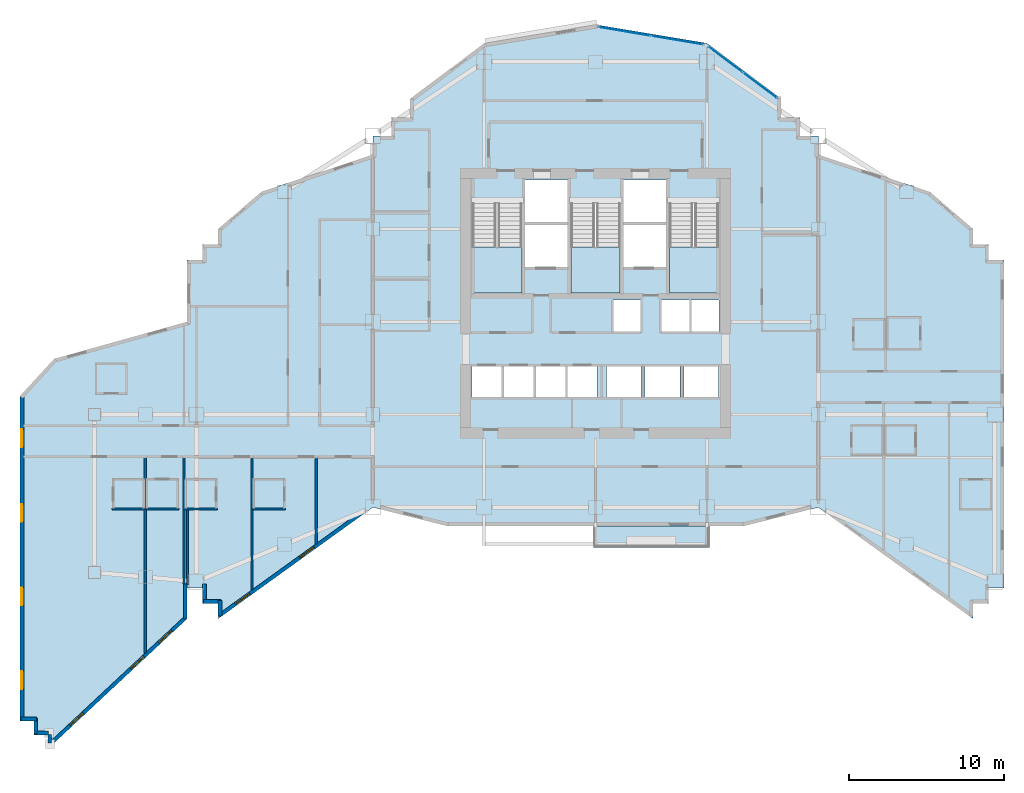
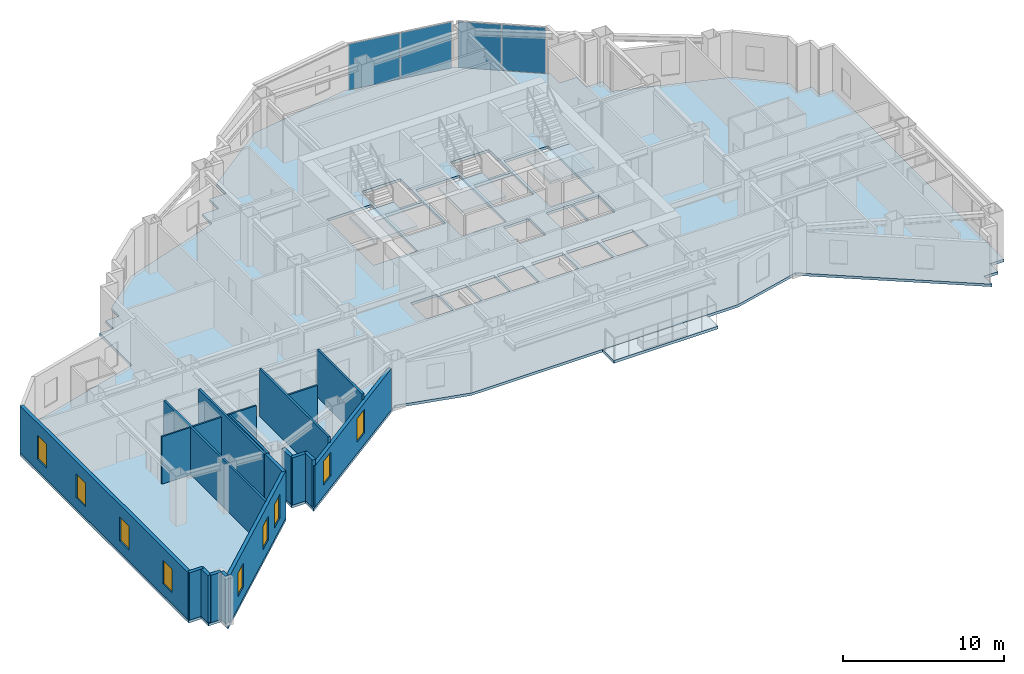
# One storey, part 6 of 14: 20 walls, 9 windows, 5 slabs, 4 plates, 9 openings, 5 elements without a shape of their own.
"""IFC4 building model written with IfcOpenShell, lengths in metres."""

from ifc_helpers import new_model, si_unit, direction, frame, frame_2d, origin, origin_2d, place, context, subcontext, project, spatial, polyline, rectangle, outline, extrude, material, layer, layer_set, type_object, element, fill, aggregate, save


model = new_model("IFC4")

# Units and contexts
model_context = context("Model", 3, precision=1e-05, world=origin(), true_north=direction((0.0, 1.0)))
body_context = subcontext(model_context, "Body", "Model", "MODEL_VIEW")
ifc_project = project(units=[si_unit("LENGTHUNIT", "METRE"), si_unit("AREAUNIT", "SQUARE_METRE"), si_unit("VOLUMEUNIT", "CUBIC_METRE"), si_unit("PLANEANGLEUNIT", "RADIAN"), si_unit("MASSUNIT", "GRAM", prefix="KILO")], contexts=[model_context])

# Site, building, storey
site_placement = place(None, origin())
site = spatial("IfcSite", under=ifc_project, at=site_placement, CompositionType="ELEMENT")
building_placement = place(site_placement, origin())
building = spatial("IfcBuilding", under=site, at=building_placement, Name="Haolan Belvedere Tower", CompositionType="ELEMENT")
storey_placement = place(building_placement, frame((0.0, 0.0, 141.0)))
storey = spatial("IfcBuildingStorey", under=building, at=storey_placement, Name="L35", CompositionType="ELEMENT", Elevation=141.0)

# Curtain wall, plates
ifc_material_1 = material(Name="Anodised champagne-silver aluminium 6063-T6 and Low-E glass", Category="aluminium")
ifc_layer_1 = layer(ifc_material_1, 0.155029296875, Name="Anodised champagne-silver aluminium 6063-T6 and Low-E glass")
ifc_layer_set_1 = layer_set([ifc_layer_1], Name="Anodised champagne-silver aluminium 6063-T6 and Low-E glass")
curtain_wall_type = type_object("IfcCurtainWallType", Name="CW-SYS-03", PredefinedType="NOTDEFINED", material=ifc_layer_set_1)
curtain_wall_1_placement = place(storey_placement, origin())
curtain_wall_1 = element("IfcCurtainWall", 1, at=curtain_wall_1_placement, inside=storey, type_object=curtain_wall_type, Name="L35 CW-SYS-03 ribbon curtain wall 26.1", PredefinedType="NOTDEFINED")
ifc_material_2 = material(Name="Double silver Low-E laminated insulating glass", Category="glass")
ifc_layer_2 = layer(ifc_material_2, 0.02392578125, Name="Double silver Low-E laminated insulating glass")
ifc_layer_set_2 = layer_set([ifc_layer_2], Name="Double silver Low-E laminated insulating glass")
plate_type = type_object("IfcPlateType", Name="CW-SYS-03-PNL", PredefinedType="CURTAIN_PANEL", material=ifc_layer_set_2)
plate_1_placement = place(storey_placement, frame((49.0302734375, 48.877197265625, 0.05419921875), z_axis=(0.0, 0.0, 1.0), x_axis=(-0.800004262313, 0.599994316874, 0.0)))
plate_1 = element("IfcPlate", 2, at=plate_1_placement, type_object=plate_type, Name="CW-03 panel 1.1", PredefinedType="CURTAIN_PANEL", context=body_context, shape_type="SweptSolid", body=[
    extrude(rectangle(XDim=2.728271484375, YDim=0.02392578125, at=origin_2d()), origin(), (0.0, 0.0, 1.0), 3.491943359375),
])
plate_2_placement = place(storey_placement, frame((46.80126953125, 50.549072265625, 0.05419921875), z_axis=(0.0, 0.0, 1.0), x_axis=(-0.800004262313, 0.599994316874, 0.0)))
plate_2 = element("IfcPlate", 3, at=plate_2_placement, type_object=plate_type, Name="CW-03 panel 2.1", PredefinedType="CURTAIN_PANEL", context=body_context, shape_type="SweptSolid", body=[
    extrude(rectangle(XDim=2.728271484375, YDim=0.02392578125, at=origin_2d()), origin(), (0.0, 0.0, 1.0), 3.491943359375),
])
aggregate(curtain_wall_1, [plate_1, plate_2])

curtain_wall_2_placement = place(storey_placement, origin())
curtain_wall_2 = element("IfcCurtainWall", 4, at=curtain_wall_2_placement, inside=storey, type_object=curtain_wall_type, Name="L35 CW-SYS-03 ribbon curtain wall 27.1", PredefinedType="NOTDEFINED")
plate_3_placement = place(storey_placement, frame((43.68017578125, 51.79833984375, 0.05419921875), z_axis=(0.0, 0.0, 1.0), x_axis=(-0.9863931483, 0.16440364043, 0.0)))
plate_3 = element("IfcPlate", 5, at=plate_3_placement, type_object=plate_type, Name="CW-03 panel 1.1", PredefinedType="CURTAIN_PANEL", context=body_context, shape_type="SweptSolid", body=[
    extrude(rectangle(XDim=3.39794921875, YDim=0.02392578125, at=origin_2d()), origin(), (0.0, 0.0, 1.0), 3.491943359375),
])
plate_4_placement = place(storey_placement, frame((40.271240234375, 52.366455078125, 0.05419921875), z_axis=(0.0, 0.0, 1.0), x_axis=(-0.9863931483, 0.16440364043, 0.0)))
plate_4 = element("IfcPlate", 6, at=plate_4_placement, type_object=plate_type, Name="CW-03 panel 2.1", PredefinedType="CURTAIN_PANEL", context=body_context, shape_type="SweptSolid", body=[
    extrude(rectangle(XDim=3.39794921875, YDim=0.02392578125, at=origin_2d()), origin(), (0.0, 0.0, 1.0), 3.491943359375),
])
aggregate(curtain_wall_2, [plate_3, plate_4])

# Slabs
ifc_material_3 = material(Name="Concrete C40/50", Category="concrete")
ifc_layer_3 = layer(ifc_material_3, 0.2099609375, Name="Concrete C40/50")
ifc_layer_set_3 = layer_set([ifc_layer_3], Name="Concrete C40/50")
slab_type_1 = type_object("IfcSlabType", Name="SL-BAL-210", PredefinedType="FLOOR", material=ifc_layer_set_3)
slab_1_placement = place(storey_placement, frame((0.0, 0.0, -0.22998046875)))
element("IfcSlab", 7, at=slab_1_placement, inside=storey, type_object=slab_type_1, Name="L35 structural tree-planter balcony slab BAL-L35-S1", PredefinedType="FLOOR", context=body_context, shape_type="SweptSolid", body=[
    extrude(outline(polyline([(38.25, 19.02001953125), (45.75, 19.02001953125), (45.75, 20.39990234375), (38.25, 20.39990234375), (38.25, 19.02001953125)])), origin(), (0.0, 0.0, 1.0), 0.2099609375),
])
ifc_layer_4 = layer(ifc_material_3, 0.199951171875, Name="Concrete C40/50")
ifc_layer_set_4 = layer_set([ifc_layer_4], Name="Concrete C40/50")
slab_type_2 = type_object("IfcSlabType", Name="SL-FLR-200", PredefinedType="FLOOR", material=ifc_layer_set_4)
slab_2_placement = place(storey_placement, frame((0.0, 0.0, -0.199951171875)))
element("IfcSlab", 8, at=slab_2_placement, inside=storey, type_object=slab_type_2, Name="L35 structural floor slab", PredefinedType="FLOOR", context=body_context, shape_type="SweptSolid", body=[
    extrude(outline(polyline([(12.0, 14.39990234375), (12.0, 16.39990234375), (13.0, 16.39990234375), (13.0, 15.39990234375), (14.0, 15.39990234375), (14.0, 14.39990234375), (24.0, 21.60009765625), (28.800048828125, 20.39990234375), (48.0, 20.39990234375), (52.800048828125, 21.60009765625), (62.800048828125, 14.39990234375), (62.800048828125, 15.39990234375), (63.800048828125, 15.39990234375), (63.800048828125, 16.39990234375), (64.800048828125, 16.39990234375), (64.800048828125, 37.60009765625), (63.800048828125, 37.60009765625), (63.800048828125, 38.60009765625), (62.800048828125, 38.60009765625), (62.800048828125, 39.60009765625), (60.0, 42.0), (52.800048828125, 44.39990234375), (52.800048828125, 45.60009765625), (51.60009765625, 45.60009765625), (51.60009765625, 46.800048828125), (50.39990234375, 46.800048828125), (50.39990234375, 48.0), (45.60009765625, 51.60009765625), (38.39990234375, 52.800048828125), (31.199951171875, 51.60009765625), (26.39990234375, 48.0), (26.39990234375, 46.800048828125), (25.199951171875, 46.800048828125), (25.199951171875, 45.60009765625), (24.0, 45.60009765625), (24.0, 44.39990234375), (16.800048828125, 42.0), (14.0, 39.60009765625), (14.0, 38.60009765625), (13.0, 38.60009765625), (13.0, 37.60009765625), (12.0, 37.60009765625), (12.0, 33.60009765625), (3.39990234375, 31.199951171875), (1.199951171875, 28.800048828125), (1.199951171875, 8.39990234375), (1.199951171875, 7.800048828125), (2.10009765625, 7.800048828125), (2.10009765625, 6.89990234375), (3.0, 6.89990234375), (3.0, 6.0), (12.0, 14.39990234375)]), holes=[polyline([(30.449951171875, 41.22998046875), (30.449951171875, 35.449951171875), (33.6298828125, 35.449951171875), (33.6298828125, 41.22998046875), (30.449951171875, 41.22998046875)]), polyline([(36.81005859375, 41.22998046875), (36.81005859375, 35.449951171875), (39.989990234375, 35.449951171875), (39.989990234375, 41.22998046875), (36.81005859375, 41.22998046875)]), polyline([(43.169921875, 41.22998046875), (43.169921875, 35.449951171875), (46.35009765625, 35.449951171875), (46.35009765625, 41.22998046875), (43.169921875, 41.22998046875)]), polyline([(33.830078125, 40.050048828125), (36.610107421875, 40.050048828125), (36.610107421875, 42.75), (33.830078125, 42.75), (33.830078125, 40.050048828125)]), polyline([(33.830078125, 37.14990234375), (36.610107421875, 37.14990234375), (36.610107421875, 39.85009765625), (33.830078125, 39.85009765625), (33.830078125, 37.14990234375)]), polyline([(40.18994140625, 40.050048828125), (42.969970703125, 40.050048828125), (42.969970703125, 42.75), (40.18994140625, 42.75), (40.18994140625, 40.050048828125)]), polyline([(40.18994140625, 37.14990234375), (42.969970703125, 37.14990234375), (42.969970703125, 39.85009765625), (40.18994140625, 39.85009765625), (40.18994140625, 37.14990234375)]), polyline([(39.5400390625, 32.949951171875), (41.389892578125, 32.949951171875), (41.389892578125, 35.0), (39.5400390625, 35.0), (39.5400390625, 32.949951171875)]), polyline([(42.6201171875, 32.949951171875), (44.469970703125, 32.949951171875), (44.469970703125, 35.0), (42.6201171875, 35.0), (42.6201171875, 32.949951171875)]), polyline([(44.580078125, 32.949951171875), (46.3798828125, 32.949951171875), (46.3798828125, 35.0), (44.580078125, 35.0), (44.580078125, 32.949951171875)]), polyline([(30.419921875, 28.75), (32.320068359375, 28.75), (32.320068359375, 30.75), (30.419921875, 30.75), (30.419921875, 28.75)]), polyline([(32.47998046875, 28.75), (34.3798828125, 28.75), (34.3798828125, 30.75), (32.47998046875, 30.75), (32.47998046875, 28.75)]), polyline([(34.5400390625, 28.75), (36.43994140625, 28.75), (36.43994140625, 30.75), (34.5400390625, 30.75), (34.5400390625, 28.75)]), polyline([(36.60009765625, 28.75), (38.5, 28.75), (38.5, 30.75), (36.60009765625, 30.75), (36.60009765625, 28.75)]), polyline([(39.10009765625, 28.75), (41.340087890625, 28.75), (41.340087890625, 30.75), (39.10009765625, 30.75), (39.10009765625, 28.75)]), polyline([(41.610107421875, 28.75), (43.85009765625, 28.75), (43.85009765625, 30.75), (41.610107421875, 30.75), (41.610107421875, 28.75)]), polyline([(44.1201171875, 28.75), (46.360107421875, 28.75), (46.360107421875, 30.75), (44.1201171875, 30.75), (44.1201171875, 28.75)])]), origin(), (0.0, 0.0, 1.0), 0.199951171875),
])

# Stair, slab
stair_type = type_object("IfcStairType", Name="STR-DL-22R-173", PredefinedType="HALF_TURN_STAIR", material=ifc_material_3)
stair_1_placement = place(storey_placement, origin())
stair_1 = element("IfcStair", 9, at=stair_1_placement, inside=storey, type_object=stair_type, Name="L35 Smokeproof Core Exit Stair ST1", PredefinedType="HALF_TURN_STAIR")
ifc_layer_5 = layer(ifc_material_3, 0.199951171875, Name="Concrete C40/50")
ifc_layer_set_5 = layer_set([ifc_layer_5], Name="Concrete C40/50")
slab_type_3 = type_object("IfcSlabType", Name="SL-LAND-200", PredefinedType="LANDING", material=ifc_layer_set_5)
slab_3_placement = place(storey_placement, frame((0.0, 0.0, 1.699951171875)))
slab_3 = element("IfcSlab", 10, at=slab_3_placement, type_object=slab_type_3, Name="ST1 landing 1", PredefinedType="LANDING", context=body_context, shape_type="SweptSolid", body=[
    extrude(outline(polyline([(30.449951171875, 38.429931640625), (30.449951171875, 35.449951171875), (33.6298828125, 35.449951171875), (33.6298828125, 38.429931640625), (30.449951171875, 38.429931640625)])), origin(), (0.0, 0.0, 1.0), 0.199951171875),
])
aggregate(stair_1, [slab_3])

stair_2_placement = place(storey_placement, origin())
stair_2 = element("IfcStair", 11, at=stair_2_placement, inside=storey, type_object=stair_type, Name="L35 Smokeproof Core Exit Stair ST3", PredefinedType="HALF_TURN_STAIR")
slab_4_placement = place(storey_placement, frame((0.0, 0.0, 1.699951171875)))
slab_4 = element("IfcSlab", 12, at=slab_4_placement, type_object=slab_type_3, Name="ST3 landing 1", PredefinedType="LANDING", context=body_context, shape_type="SweptSolid", body=[
    extrude(outline(polyline([(36.81005859375, 38.429931640625), (36.81005859375, 35.449951171875), (39.989990234375, 35.449951171875), (39.989990234375, 38.429931640625), (36.81005859375, 38.429931640625)])), origin(), (0.0, 0.0, 1.0), 0.199951171875),
])
aggregate(stair_2, [slab_4])

stair_3_placement = place(storey_placement, origin())
stair_3 = element("IfcStair", 13, at=stair_3_placement, inside=storey, type_object=stair_type, Name="L35 Smokeproof Core Exit Stair ST2", PredefinedType="HALF_TURN_STAIR")
slab_5_placement = place(storey_placement, frame((0.0, 0.0, 1.699951171875)))
slab_5 = element("IfcSlab", 14, at=slab_5_placement, type_object=slab_type_3, Name="ST2 landing 1", PredefinedType="LANDING", context=body_context, shape_type="SweptSolid", body=[
    extrude(outline(polyline([(43.169921875, 38.429931640625), (43.169921875, 35.449951171875), (46.35009765625, 35.449951171875), (46.35009765625, 38.429931640625), (43.169921875, 38.429931640625)])), origin(), (0.0, 0.0, 1.0), 0.199951171875),
])
aggregate(stair_3, [slab_5])

# Walls
ifc_material_4 = material(Name="Precast concrete C40/50", Category="concrete")
ifc_layer_6 = layer(ifc_material_4, 0.239990234375, Name="Precast concrete C40/50")
ifc_layer_set_6 = layer_set([ifc_layer_6], Name="Precast concrete C40/50")
wall_type_1 = type_object("IfcWallType", Name="WL-EXT-240", PredefinedType="SOLIDWALL", material=ifc_layer_set_6)
wall_1_placement = place(storey_placement, frame((13.1201171875, 16.639892578125, 0.0), z_axis=(0.0, 0.0, 1.0), x_axis=(0.0, -1.0, 0.0)))
element("IfcWall", 15, at=wall_1_placement, inside=storey, type_object=wall_type_1, Name="L35 pale-metal exterior spandrel wall 2.1", PredefinedType="SOLIDWALL", context=body_context, shape_type="SweptSolid", body=[
    extrude(rectangle(XDim=1.1748046875, YDim=0.239990234375, at=frame_2d((0.58740234375, 0.0))), origin(), (0.0, 0.0, 1.0), 3.60009765625),
])
wall_2_placement = place(storey_placement, frame((13.06494140625, 15.52001953125, 0.0), z_axis=(0.0, 0.0, 1.0), x_axis=(1.0, 0.0, 0.0)))
element("IfcWall", 16, at=wall_2_placement, inside=storey, type_object=wall_type_1, Name="L35 pale-metal exterior spandrel wall 3.1", PredefinedType="SOLIDWALL", context=body_context, shape_type="SweptSolid", body=[
    extrude(rectangle(XDim=1.110107421875, YDim=0.239990234375, at=frame_2d((0.55517578125, 0.0))), origin(), (0.0, 0.0, 1.0), 3.60009765625),
])
wall_3_placement = place(storey_placement, frame((14.1201171875, 15.574951171875, 0.0), z_axis=(0.0, 0.0, 1.0), x_axis=(0.0, -1.0, 0.0)))
element("IfcWall", 17, at=wall_3_placement, inside=storey, type_object=wall_type_1, Name="L35 pale-metal exterior spandrel wall 4.1", PredefinedType="SOLIDWALL", context=body_context, shape_type="SweptSolid", body=[
    extrude(rectangle(XDim=0.99560546875, YDim=0.239990234375, at=frame_2d((0.497802734375, 0.0))), origin(), (0.0, 0.0, 1.0), 3.60009765625),
])

# Wall, openings, windows
wall_4_placement = place(storey_placement, frame((14.075439453125, 14.602294921875, 0.0), z_axis=(0.0, 0.0, 1.0), x_axis=(0.811543504691, 0.584291998913, 0.0)))
wall_4 = element("IfcWall", 18, at=wall_4_placement, inside=storey, type_object=wall_type_1, Name="L35 pale-metal exterior spandrel wall 5.1", PredefinedType="SOLIDWALL", context=body_context, shape_type="SweptSolid", body=[
    extrude(rectangle(XDim=11.623046875, YDim=0.239990234375, at=frame_2d((5.8115234375, 0.0))), origin(), (0.0, 0.0, 1.0), 3.14501953125),
])
opening_1_placement = place(wall_4_placement, frame((1.29638671875, 0.0, 0.85009765625)))
opening_1 = element("IfcOpeningElement", 19, at=opening_1_placement, cuts=wall_4, Name="Opening W-02", PredefinedType="OPENING", context=body_context, shape_type="SweptSolid", body=[
    extrude(rectangle(XDim=1.14990234375, YDim=1.800048828125, at=frame_2d((0.574951171875, 0.89990234375))), frame((0.0, 0.1298828125, 0.0), z_axis=(0.0, -1.0, 0.0), x_axis=(1.0, 0.0, 0.0)), (0.0, 0.0, 1.0), 0.260009765625),
])
opening_2_placement = place(wall_4_placement, frame((6.409912109375, 0.0, 0.85009765625)))
opening_2 = element("IfcOpeningElement", 20, at=opening_2_placement, cuts=wall_4, Name="Opening W-02", PredefinedType="OPENING", context=body_context, shape_type="SweptSolid", body=[
    extrude(rectangle(XDim=1.14990234375, YDim=1.800048828125, at=frame_2d((0.574951171875, 0.89990234375))), frame((0.0, 0.1298828125, 0.0), z_axis=(0.0, -1.0, 0.0), x_axis=(1.0, 0.0, 0.0)), (0.0, 0.0, 1.0), 0.260009765625),
])
ifc_material_5 = material(Name="Anodised aluminium 6063-T6 and Low-E glass", Category="aluminium")
window_type = type_object("IfcWindowType", Name="WN-DECO-Z2", PartitioningType="SINGLE_PANEL", PredefinedType="WINDOW", material=ifc_material_5)
window_1_placement = place(opening_1_placement, origin())
window_1 = element("IfcWindow", 21, at=window_1_placement, inside=storey, type_object=window_type, Name="L35 Art Deco chevron window 1", OverallHeight=1.800048828125, OverallWidth=1.14990234375, PartitioningType="SINGLE_PANEL", PredefinedType="WINDOW", context=body_context, shape_type="SweptSolid", body=[
    extrude(rectangle(XDim=1.14990234375, YDim=1.800048828125, at=frame_2d((0.574951171875, 0.89990234375))), frame((0.0, 0.030029296875, 0.0), z_axis=(0.0, -1.0, 0.0), x_axis=(1.0, 0.0, 0.0)), (0.0, 0.0, 1.0), 0.06005859375),
])
fill(opening_1, window_1)
window_2_placement = place(opening_2_placement, origin())
window_2 = element("IfcWindow", 22, at=window_2_placement, inside=storey, type_object=window_type, Name="L35 Art Deco chevron window 2", OverallHeight=1.800048828125, OverallWidth=1.14990234375, PartitioningType="SINGLE_PANEL", PredefinedType="WINDOW", context=body_context, shape_type="SweptSolid", body=[
    extrude(rectangle(XDim=1.14990234375, YDim=1.800048828125, at=frame_2d((0.574951171875, 0.89990234375))), frame((0.0, 0.030029296875, 0.0), z_axis=(0.0, -1.0, 0.0), x_axis=(1.0, 0.0, 0.0)), (0.0, 0.0, 1.0), 0.06005859375),
])
fill(opening_2, window_2)

wall_5_placement = place(storey_placement, frame((1.320068359375, 28.808349609375, 0.0), z_axis=(0.0, 0.0, 1.0), x_axis=(0.0, -1.0, 0.0)))
wall_5 = element("IfcWall", 23, at=wall_5_placement, inside=storey, type_object=wall_type_1, Name="L35 pale-metal exterior spandrel wall 44.1", PredefinedType="SOLIDWALL", context=body_context, shape_type="SweptSolid", body=[
    extrude(rectangle(XDim=20.943359375, YDim=0.239990234375, at=frame_2d((10.4716796875, 0.0))), origin(), (0.0, 0.0, 1.0), 3.60009765625),
])
opening_3_placement = place(wall_5_placement, frame((2.163330078125, 0.0, 0.85009765625)))
opening_3 = element("IfcOpeningElement", 24, at=opening_3_placement, cuts=wall_5, Name="Opening W-02", PredefinedType="OPENING", context=body_context, shape_type="SweptSolid", body=[
    extrude(rectangle(XDim=1.14990234375, YDim=1.800048828125, at=frame_2d((0.574951171875, 0.89990234375))), frame((0.0, 0.1298828125, 0.0), z_axis=(0.0, -1.0, 0.0), x_axis=(1.0, 0.0, 0.0)), (0.0, 0.0, 1.0), 0.260009765625),
])
opening_4_placement = place(wall_5_placement, frame((7.0, 0.0, 0.85009765625)))
opening_4 = element("IfcOpeningElement", 25, at=opening_4_placement, cuts=wall_5, Name="Opening W-02", PredefinedType="OPENING", context=body_context, shape_type="SweptSolid", body=[
    extrude(rectangle(XDim=1.14990234375, YDim=1.800048828125, at=frame_2d((0.574951171875, 0.89990234375))), frame((0.0, 0.1298828125, 0.0), z_axis=(0.0, -1.0, 0.0), x_axis=(1.0, 0.0, 0.0)), (0.0, 0.0, 1.0), 0.260009765625),
])
opening_5_placement = place(wall_5_placement, frame((12.39990234375, 0.0, 0.85009765625)))
opening_5 = element("IfcOpeningElement", 26, at=opening_5_placement, cuts=wall_5, Name="Opening W-02", PredefinedType="OPENING", context=body_context, shape_type="SweptSolid", body=[
    extrude(rectangle(XDim=1.14990234375, YDim=1.800048828125, at=frame_2d((0.574951171875, 0.89990234375))), frame((0.0, 0.1298828125, 0.0), z_axis=(0.0, -1.0, 0.0), x_axis=(1.0, 0.0, 0.0)), (0.0, 0.0, 1.0), 0.260009765625),
])
opening_6_placement = place(wall_5_placement, frame((17.800048828125, 0.0, 0.85009765625)))
opening_6 = element("IfcOpeningElement", 27, at=opening_6_placement, cuts=wall_5, Name="Opening W-02", PredefinedType="OPENING", context=body_context, shape_type="SweptSolid", body=[
    extrude(rectangle(XDim=1.14990234375, YDim=1.800048828125, at=frame_2d((0.574951171875, 0.89990234375))), frame((0.0, 0.1298828125, 0.0), z_axis=(0.0, -1.0, 0.0), x_axis=(1.0, 0.0, 0.0)), (0.0, 0.0, 1.0), 0.260009765625),
])
window_3_placement = place(opening_3_placement, origin())
window_3 = element("IfcWindow", 28, at=window_3_placement, inside=storey, type_object=window_type, Name="L35 Art Deco chevron window 1", OverallHeight=1.800048828125, OverallWidth=1.14990234375, PartitioningType="SINGLE_PANEL", PredefinedType="WINDOW", context=body_context, shape_type="SweptSolid", body=[
    extrude(rectangle(XDim=1.14990234375, YDim=1.800048828125, at=frame_2d((0.574951171875, 0.89990234375))), frame((0.0, 0.030029296875, 0.0), z_axis=(0.0, -1.0, 0.0), x_axis=(1.0, 0.0, 0.0)), (0.0, 0.0, 1.0), 0.06005859375),
])
fill(opening_3, window_3)
window_4_placement = place(opening_4_placement, origin())
window_4 = element("IfcWindow", 29, at=window_4_placement, inside=storey, type_object=window_type, Name="L35 Art Deco chevron window 2", OverallHeight=1.800048828125, OverallWidth=1.14990234375, PartitioningType="SINGLE_PANEL", PredefinedType="WINDOW", context=body_context, shape_type="SweptSolid", body=[
    extrude(rectangle(XDim=1.14990234375, YDim=1.800048828125, at=frame_2d((0.574951171875, 0.89990234375))), frame((0.0, 0.030029296875, 0.0), z_axis=(0.0, -1.0, 0.0), x_axis=(1.0, 0.0, 0.0)), (0.0, 0.0, 1.0), 0.06005859375),
])
fill(opening_4, window_4)
window_5_placement = place(opening_5_placement, origin())
window_5 = element("IfcWindow", 30, at=window_5_placement, inside=storey, type_object=window_type, Name="L35 Art Deco chevron window 3", OverallHeight=1.800048828125, OverallWidth=1.14990234375, PartitioningType="SINGLE_PANEL", PredefinedType="WINDOW", context=body_context, shape_type="SweptSolid", body=[
    extrude(rectangle(XDim=1.14990234375, YDim=1.800048828125, at=frame_2d((0.574951171875, 0.89990234375))), frame((0.0, 0.030029296875, 0.0), z_axis=(0.0, -1.0, 0.0), x_axis=(1.0, 0.0, 0.0)), (0.0, 0.0, 1.0), 0.06005859375),
])
fill(opening_5, window_5)
window_6_placement = place(opening_6_placement, origin())
window_6 = element("IfcWindow", 31, at=window_6_placement, inside=storey, type_object=window_type, Name="L35 Art Deco chevron window 4", OverallHeight=1.800048828125, OverallWidth=1.14990234375, PartitioningType="SINGLE_PANEL", PredefinedType="WINDOW", context=body_context, shape_type="SweptSolid", body=[
    extrude(rectangle(XDim=1.14990234375, YDim=1.800048828125, at=frame_2d((0.574951171875, 0.89990234375))), frame((0.0, 0.030029296875, 0.0), z_axis=(0.0, -1.0, 0.0), x_axis=(1.0, 0.0, 0.0)), (0.0, 0.0, 1.0), 0.06005859375),
])
fill(opening_6, window_6)

# Walls
for number, where, z_axis, x_axis, name in (
    (32, (1.264892578125, 7.919921875, 0.0), (0.0, 0.0, 1.0), (1.0, 0.0, 0.0), "L35 pale-metal exterior spandrel wall 45.1"),
    (33, (2.219970703125, 7.97509765625, 0.0), (0.0, 0.0, 1.0), (0.0, -1.0, 0.0), "L35 pale-metal exterior spandrel wall 46.1"),
):
    element("IfcWall", number, at=place(storey_placement, frame(where, z_axis=z_axis, x_axis=x_axis)), inside=storey, type_object=wall_type_1, Name=name, PredefinedType="SOLIDWALL", context=body_context, shape_type="SweptSolid", body=[
        extrude(rectangle(XDim=1.010009765625, YDim=0.239990234375, at=frame_2d((0.5048828125, 0.0))), origin(), (0.0, 0.0, 1.0), 3.60009765625),
    ])
wall_6_placement = place(storey_placement, frame((2.300048828125, 7.02001953125, 0.0), z_axis=(0.0, 0.0, 1.0), x_axis=(1.0, 0.0, 0.0)))
element("IfcWall", 34, at=wall_6_placement, inside=storey, type_object=wall_type_1, Name="L35 pale-metal exterior spandrel wall 47.1", PredefinedType="SOLIDWALL", context=body_context, shape_type="SweptSolid", body=[
    extrude(rectangle(XDim=0.73486328125, YDim=0.239990234375, at=frame_2d((0.367431640625, 0.0))), origin(), (0.0, 0.0, 1.0), 3.60009765625),
])
wall_7_placement = place(storey_placement, frame((3.1201171875, 6.93505859375, 0.0), z_axis=(0.0, 0.0, 1.0), x_axis=(0.0, -1.0, 0.0)))
element("IfcWall", 35, at=wall_7_placement, inside=storey, type_object=wall_type_1, Name="L35 pale-metal exterior spandrel wall 48.1", PredefinedType="SOLIDWALL", context=body_context, shape_type="SweptSolid", body=[
    extrude(rectangle(XDim=0.573974609375, YDim=0.239990234375, at=frame_2d((0.287109375, 0.0))), origin(), (0.0, 0.0, 1.0), 3.60009765625),
])

# Wall, openings, windows
wall_8_placement = place(storey_placement, frame((3.269775390625, 6.416015625, 0.0), z_axis=(0.0, 0.0, 1.0), x_axis=(0.731064187858, 0.682308693505, 0.0)))
wall_8 = element("IfcWall", 36, at=wall_8_placement, inside=storey, type_object=wall_type_1, Name="L35 pale-metal exterior spandrel wall 49.1", PredefinedType="SOLIDWALL", context=body_context, shape_type="SweptSolid", body=[
    extrude(rectangle(XDim=11.83251953125, YDim=0.239990234375, at=frame_2d((5.916259765625, 0.0))), origin(), (0.0, 0.0, 1.0), 3.60009765625),
])
opening_7_placement = place(wall_8_placement, frame((1.60009765625, 0.0, 0.85009765625)))
opening_7 = element("IfcOpeningElement", 37, at=opening_7_placement, cuts=wall_8, Name="Opening W-02", PredefinedType="OPENING", context=body_context, shape_type="SweptSolid", body=[
    extrude(rectangle(XDim=1.14990234375, YDim=1.800048828125, at=frame_2d((0.574951171875, 0.89990234375))), frame((0.0, 0.1298828125, 0.0), z_axis=(0.0, -1.0, 0.0), x_axis=(1.0, 0.0, 0.0)), (0.0, 0.0, 1.0), 0.260009765625),
])
opening_8_placement = place(wall_8_placement, frame((6.96142578125, 0.0, 0.85009765625)))
opening_8 = element("IfcOpeningElement", 38, at=opening_8_placement, cuts=wall_8, Name="Opening W-02", PredefinedType="OPENING", context=body_context, shape_type="SweptSolid", body=[
    extrude(rectangle(XDim=1.14990234375, YDim=1.800048828125, at=frame_2d((0.574951171875, 0.89990234375))), frame((0.0, 0.1298828125, 0.0), z_axis=(0.0, -1.0, 0.0), x_axis=(1.0, 0.0, 0.0)), (0.0, 0.0, 1.0), 0.260009765625),
])
opening_9_placement = place(wall_8_placement, frame((9.44580078125, 0.0, 0.85009765625)))
opening_9 = element("IfcOpeningElement", 39, at=opening_9_placement, cuts=wall_8, Name="Opening W-02", PredefinedType="OPENING", context=body_context, shape_type="SweptSolid", body=[
    extrude(rectangle(XDim=1.14990234375, YDim=1.800048828125, at=frame_2d((0.574951171875, 0.89990234375))), frame((0.0, 0.1298828125, 0.0), z_axis=(0.0, -1.0, 0.0), x_axis=(1.0, 0.0, 0.0)), (0.0, 0.0, 1.0), 0.260009765625),
])
window_7_placement = place(opening_7_placement, origin())
window_7 = element("IfcWindow", 40, at=window_7_placement, inside=storey, type_object=window_type, Name="L35 Art Deco chevron window 1", OverallHeight=1.800048828125, OverallWidth=1.14990234375, PartitioningType="SINGLE_PANEL", PredefinedType="WINDOW", context=body_context, shape_type="SweptSolid", body=[
    extrude(rectangle(XDim=1.14990234375, YDim=1.800048828125, at=frame_2d((0.574951171875, 0.89990234375))), frame((0.0, 0.030029296875, 0.0), z_axis=(0.0, -1.0, 0.0), x_axis=(1.0, 0.0, 0.0)), (0.0, 0.0, 1.0), 0.06005859375),
])
fill(opening_7, window_7)
window_8_placement = place(opening_8_placement, origin())
window_8 = element("IfcWindow", 41, at=window_8_placement, inside=storey, type_object=window_type, Name="L35 Art Deco chevron window 2", OverallHeight=1.800048828125, OverallWidth=1.14990234375, PartitioningType="SINGLE_PANEL", PredefinedType="WINDOW", context=body_context, shape_type="SweptSolid", body=[
    extrude(rectangle(XDim=1.14990234375, YDim=1.800048828125, at=frame_2d((0.574951171875, 0.89990234375))), frame((0.0, 0.030029296875, 0.0), z_axis=(0.0, -1.0, 0.0), x_axis=(1.0, 0.0, 0.0)), (0.0, 0.0, 1.0), 0.06005859375),
])
fill(opening_8, window_8)
window_9_placement = place(opening_9_placement, origin())
window_9 = element("IfcWindow", 42, at=window_9_placement, inside=storey, type_object=window_type, Name="L35 Art Deco guestroom window 1", OverallHeight=1.800048828125, OverallWidth=1.14990234375, PartitioningType="SINGLE_PANEL", PredefinedType="WINDOW", context=body_context, shape_type="SweptSolid", body=[
    extrude(rectangle(XDim=1.14990234375, YDim=1.800048828125, at=frame_2d((0.574951171875, 0.89990234375))), frame((0.0, 0.030029296875, 0.0), z_axis=(0.0, -1.0, 0.0), x_axis=(1.0, 0.0, 0.0)), (0.0, 0.0, 1.0), 0.06005859375),
])
fill(opening_9, window_9)

# Walls
wall_9_placement = place(storey_placement, frame((11.8798828125, 14.397216796875, 0.0), z_axis=(0.0, 0.0, 1.0), x_axis=(0.0, 1.0, 0.0)))
element("IfcWall", 43, at=wall_9_placement, inside=storey, type_object=wall_type_1, Name="L35 pale-metal exterior spandrel wall 50.1", PredefinedType="SOLIDWALL", context=body_context, shape_type="SweptSolid", body=[
    extrude(rectangle(XDim=2.24267578125, YDim=0.239990234375, at=frame_2d((1.121337890625, 0.0))), origin(), (0.0, 0.0, 1.0), 3.60009765625),
])
ifc_material_6 = material(Name="Double gypsum acoustic stud partition", Category="masonry")
ifc_layer_7 = layer(ifc_material_6, 0.14990234375, Name="Double gypsum acoustic stud partition")
ifc_layer_set_7 = layer_set([ifc_layer_7], Name="Double gypsum acoustic stud partition")
wall_type_2 = type_object("IfcWallType", Name="WL-PART-150", PredefinedType="PARTITIONING", material=ifc_layer_set_7)
wall_10_placement = place(storey_placement, frame((11.800048828125, 16.64208984375, 0.0), z_axis=(0.0, 0.0, 1.0), x_axis=(0.0, 1.0, 0.0)))
element("IfcWall", 44, at=wall_10_placement, inside=storey, type_object=wall_type_2, Name="L35 interior partition IW-L35-T2S1-W", PredefinedType="PARTITIONING", context=body_context, shape_type="SweptSolid", body=[
    extrude(rectangle(XDim=8.16796875, YDim=0.14990234375, at=frame_2d((4.083984375, 0.0))), origin(), (0.0, 0.0, 1.0), 3.60009765625),
])
wall_11_placement = place(storey_placement, frame((16.18994140625, 16.254150390625, 0.0), z_axis=(0.0, 0.0, 1.0), x_axis=(0.0, 1.0, 0.0)))
element("IfcWall", 45, at=wall_11_placement, inside=storey, type_object=wall_type_2, Name="L35 interior partition IW-L35-T2S1-E", PredefinedType="PARTITIONING", context=body_context, shape_type="SweptSolid", body=[
    extrude(rectangle(XDim=8.555908203125, YDim=0.14990234375, at=frame_2d((4.27783203125, 0.0))), origin(), (0.0, 0.0, 1.0), 3.60009765625),
])
wall_12_placement = place(storey_placement, frame((20.340087890625, 19.241943359375, 0.0), z_axis=(0.0, 0.0, 1.0), x_axis=(0.0, 1.0, 0.0)))
element("IfcWall", 46, at=wall_12_placement, inside=storey, type_object=wall_type_2, Name="L35 interior partition IW-L35-T2S2-E", PredefinedType="PARTITIONING", context=body_context, shape_type="SweptSolid", body=[
    extrude(rectangle(XDim=5.568115234375, YDim=0.14990234375, at=frame_2d((2.7841796875, 0.0))), origin(), (0.0, 0.0, 1.0), 3.60009765625),
])
wall_13_placement = place(storey_placement, frame((9.300048828125, 12.187744140625, 0.0), z_axis=(0.0, 0.0, 1.0), x_axis=(0.0, 1.0, 0.0)))
element("IfcWall", 47, at=wall_13_placement, inside=storey, type_object=wall_type_2, Name="L35 interior partition IW-L35-T1S1-E", PredefinedType="PARTITIONING", context=body_context, shape_type="SweptSolid", body=[
    extrude(rectangle(XDim=12.622314453125, YDim=0.14990234375, at=frame_2d((6.31103515625, 0.0))), origin(), (0.0, 0.0, 1.0), 3.60009765625),
])
wall_14_placement = place(storey_placement, frame((12.02001953125, 16.612060546875, 0.0), z_axis=(0.0, 0.0, 1.0), x_axis=(0.0, 1.0, 0.0)))
element("IfcWall", 48, at=wall_14_placement, inside=storey, type_object=wall_type_2, Name="L35 interior partition IW-L35-T1S2-E", PredefinedType="PARTITIONING", context=body_context, shape_type="SweptSolid", body=[
    extrude(rectangle(XDim=4.843017578125, YDim=0.14990234375, at=frame_2d((2.42138671875, 0.0))), origin(), (0.0, 0.0, 1.0), 3.60009765625),
])
ifc_material_7 = material(Name="Moisture-resistant gypsum tile partition", Category="masonry")
ifc_layer_8 = layer(ifc_material_7, 0.1201171875, Name="Moisture-resistant gypsum tile partition")
ifc_layer_set_8 = layer_set([ifc_layer_8], Name="Moisture-resistant gypsum tile partition")
wall_type_3 = type_object("IfcWallType", Name="WL-WET-120", PredefinedType="PARTITIONING", material=ifc_layer_set_8)
wall_15_placement = place(storey_placement, frame((11.860107421875, 21.5, 0.0), z_axis=(0.0, 0.0, 1.0), x_axis=(1.0, 0.0, 0.0)))
element("IfcWall", 49, at=wall_15_placement, inside=storey, type_object=wall_type_3, Name="L35 interior partition IW-L35-T2S1-BS", PredefinedType="PARTITIONING", context=body_context, shape_type="SweptSolid", body=[
    extrude(rectangle(XDim=2.079833984375, YDim=0.1201171875, at=frame_2d((1.0400390625, 0.0))), origin(), (0.0, 0.0, 1.0), 3.60009765625),
])
wall_16_placement = place(storey_placement, frame((16.25, 21.5, 0.0), z_axis=(0.0, 0.0, 1.0), x_axis=(1.0, 0.0, 0.0)))
element("IfcWall", 50, at=wall_16_placement, inside=storey, type_object=wall_type_3, Name="L35 interior partition IW-L35-T2S2-BS", PredefinedType="PARTITIONING", context=body_context, shape_type="SweptSolid", body=[
    extrude(rectangle(XDim=2.094970703125, YDim=0.1201171875, at=frame_2d((1.04736328125, 0.0))), origin(), (0.0, 0.0, 1.0), 3.60009765625),
])
wall_17_placement = place(storey_placement, frame((7.159912109375, 21.5, 0.0), z_axis=(0.0, 0.0, 1.0), x_axis=(1.0, 0.0, 0.0)))
element("IfcWall", 51, at=wall_17_placement, inside=storey, type_object=wall_type_3, Name="L35 interior partition IW-L35-T1S1-BS", PredefinedType="PARTITIONING", context=body_context, shape_type="SweptSolid", body=[
    extrude(rectangle(XDim=2.080078125, YDim=0.1201171875, at=frame_2d((1.0400390625, 0.0))), origin(), (0.0, 0.0, 1.0), 3.60009765625),
])
wall_18_placement = place(storey_placement, frame((9.360107421875, 21.5, 0.0), z_axis=(0.0, 0.0, 1.0), x_axis=(1.0, 0.0, 0.0)))
element("IfcWall", 52, at=wall_18_placement, inside=storey, type_object=wall_type_3, Name="L35 interior partition IW-L35-T1S2-BS", PredefinedType="PARTITIONING", context=body_context, shape_type="SweptSolid", body=[
    extrude(rectangle(XDim=2.079833984375, YDim=0.1201171875, at=frame_2d((1.0400390625, 0.0))), origin(), (0.0, 0.0, 1.0), 3.60009765625),
])

save(model, "model.ifc")
